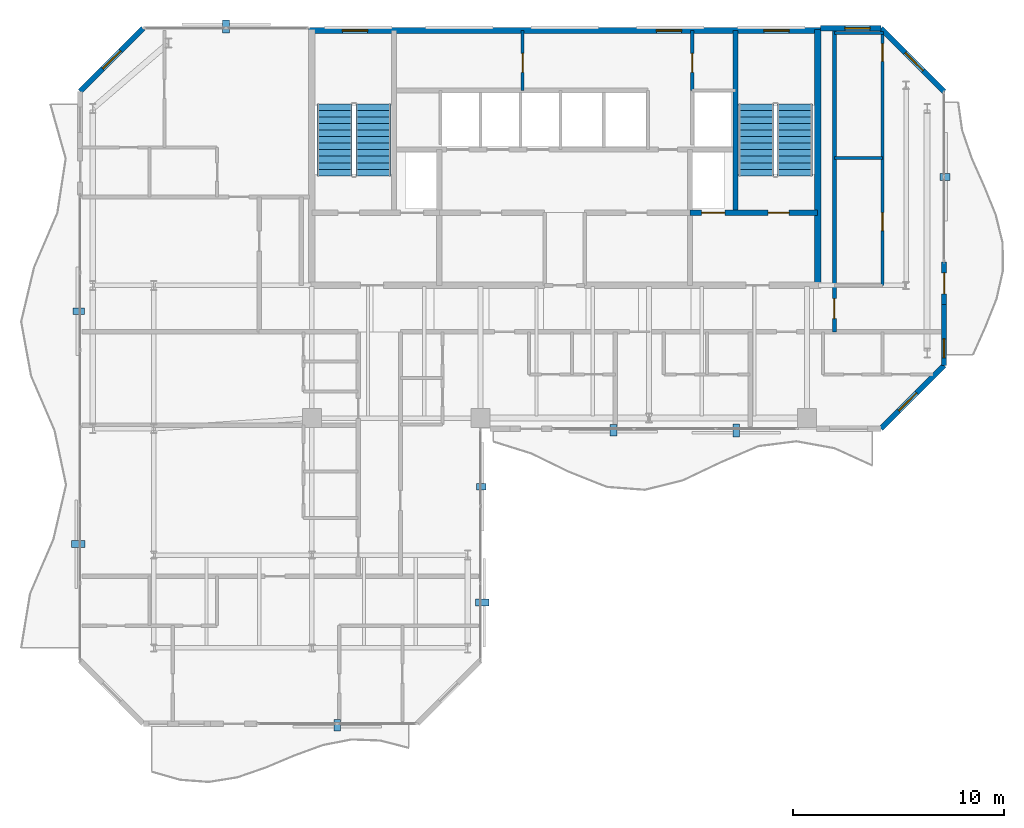
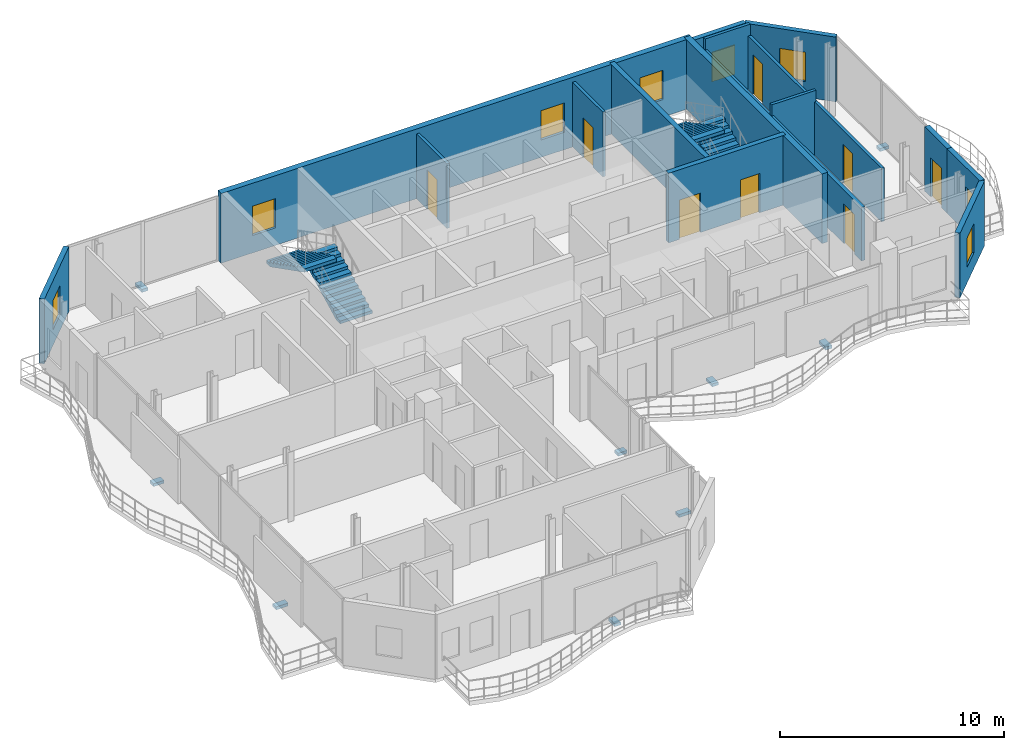
# One storey, part 20 of 22: 16 walls, 9 discrete accessories, 8 doors, 8 windows, 4 stair flights, 16 openings, 2 elements without a shape of their own.
"""IFC4 building model written with IfcOpenShell, lengths in metres."""

from ifc_helpers import new_model, si_unit, direction, frame, frame_2d, origin, origin_2d, place, context, subcontext, project, spatial, polyline, rectangle, outline, extrude, material, layer, layer_set, type_object, element, fill, aggregate, save


model = new_model("IFC4")

# Units and contexts
model_context = context("Model", 3, precision=1e-05, world=origin(), true_north=direction((0.0, 1.0)))
body_context = subcontext(model_context, "Body", "Model", "MODEL_VIEW")
ifc_project = project(units=[si_unit("LENGTHUNIT", "METRE"), si_unit("AREAUNIT", "SQUARE_METRE"), si_unit("VOLUMEUNIT", "CUBIC_METRE"), si_unit("PLANEANGLEUNIT", "RADIAN"), si_unit("MASSUNIT", "GRAM", prefix="KILO")], contexts=[model_context])

# Site, building, storey
site_placement = place(None, origin())
site = spatial("IfcSite", under=ifc_project, at=site_placement, CompositionType="ELEMENT")
building_placement = place(site_placement, origin())
building = spatial("IfcBuilding", under=site, at=building_placement, Name="Catumbela Crestline Tower", CompositionType="ELEMENT")
storey_placement = place(building_placement, frame((0.0, 0.0, 229.8)))
storey = spatial("IfcBuildingStorey", under=building, at=storey_placement, Name="L59", CompositionType="ELEMENT", Elevation=229.8)

# Wall
ifc_material_1 = material(Name="Concrete C50/60", Category="concrete")
ifc_layer_1 = layer(ifc_material_1, 0.25, Name="Concrete C50/60")
ifc_layer_set_1 = layer_set([ifc_layer_1], Name="Concrete C50/60")
wall_type_1 = type_object("IfcWallType", Name="CW-250D", PredefinedType="SHEAR", material=ifc_layer_set_1)
wall_1_placement = place(storey_placement, frame((36.1, 34.25, 0.0), z_axis=(0.0, 0.0, 1.0), x_axis=(0.0, 1.0, 0.0)))
element("IfcWall", 1, at=wall_1_placement, inside=storey, type_object=wall_type_1, Name="L59 Structural Core Shear Wall EWEB", PredefinedType="SHEAR", context=body_context, shape_type="SweptSolid", body=[
    extrude(rectangle(XDim=8.65, YDim=0.25, at=frame_2d((4.325, 0.0))), origin(), (0.0, 0.0, 1.0), 3.8),
])

# Wall, openings, doors
wall_2_placement = place(storey_placement, frame((33.95, 34.25, 0.0), z_axis=(0.0, 0.0, 1.0), x_axis=(1.0, 0.0, 0.0)))
wall_2 = element("IfcWall", 2, at=wall_2_placement, inside=storey, type_object=wall_type_1, Name="L59 Structural Core Shear Wall ST2S", PredefinedType="SHEAR", context=body_context, shape_type="SweptSolid", body=[
    extrude(rectangle(XDim=6.05, YDim=0.25, at=frame_2d((3.025, 0.0))), origin(), (0.0, 0.0, 1.0), 3.8),
])
opening_1_placement = place(wall_2_placement, frame((3.7, 0.0, 0.0)))
opening_1 = element("IfcOpeningElement", 3, at=opening_1_placement, cuts=wall_2, Name="Opening DF9-100", PredefinedType="OPENING", context=body_context, shape_type="SweptSolid", body=[
    extrude(rectangle(XDim=1.0, YDim=2.15, at=frame_2d((0.5, 1.075))), frame((0.0, 0.135, 0.0), z_axis=(0.0, -1.0, 0.0), x_axis=(1.0, 0.0, 0.0)), (0.0, 0.0, 1.0), 0.27),
])
opening_2_placement = place(wall_2_placement, frame((0.55, 0.0, 0.0)))
opening_2 = element("IfcOpeningElement", 4, at=opening_2_placement, cuts=wall_2, Name="Opening LD-110", PredefinedType="OPENING", context=body_context, shape_type="SweptSolid", body=[
    extrude(rectangle(XDim=1.1, YDim=2.15, at=frame_2d((0.55, 1.075))), frame((0.0, 0.135, 0.0), z_axis=(0.0, -1.0, 0.0), x_axis=(1.0, 0.0, 0.0)), (0.0, 0.0, 1.0), 0.27),
])
ifc_material_2 = material(Name="Stainless steel EN 1.4401", Category="steel")
door_type_1 = type_object("IfcDoorType", Name="DF9-100", OperationType="NOTDEFINED", PredefinedType="DOOR", material=ifc_material_2)
door_1_placement = place(opening_1_placement, origin())
door_1 = element("IfcDoor", 5, at=door_1_placement, inside=storey, type_object=door_type_1, Name="L59 Interior Door DR-L59-ST02", OperationType="SINGLE_SWING_RIGHT", OverallHeight=2.15, OverallWidth=1.0, PredefinedType="DOOR", context=body_context, shape_type="SweptSolid", body=[
    extrude(rectangle(XDim=1.0, YDim=2.15, at=frame_2d((0.5, 1.075))), frame((0.0, 0.025, 0.0), z_axis=(0.0, -1.0, 0.0), x_axis=(1.0, 0.0, 0.0)), (0.0, 0.0, 1.0), 0.05),
])
fill(opening_1, door_1)
door_type_2 = type_object("IfcDoorType", Name="LD-110", OperationType="NOTDEFINED", PredefinedType="DOOR", material=ifc_material_2)
door_2_placement = place(opening_2_placement, origin())
door_2 = element("IfcDoor", 6, at=door_2_placement, inside=storey, type_object=door_type_2, Name="L59 Lift Landing Sliding Door FL-02", OperationType="DOUBLE_DOOR_SLIDING", OverallHeight=2.15, OverallWidth=1.1, PredefinedType="DOOR", context=body_context, shape_type="SweptSolid", body=[
    extrude(rectangle(XDim=1.1, YDim=2.15, at=frame_2d((0.55, 1.075))), frame((0.0, 0.025, 0.0), z_axis=(0.0, -1.0, 0.0), x_axis=(1.0, 0.0, 0.0)), (0.0, 0.0, 1.0), 0.05),
])
fill(opening_2, door_2)

# Wall
ifc_material_3 = material(Name="Concrete C45/55", Category="concrete")
ifc_layer_2 = layer(ifc_material_3, 0.3, Name="Concrete C45/55")
ifc_layer_set_2 = layer_set([ifc_layer_2], Name="Concrete C45/55")
wall_type_2 = type_object("IfcWallType", Name="CW-300C", PredefinedType="SHEAR", material=ifc_layer_set_2)
wall_3_placement = place(storey_placement, frame((40.0, 30.65, 0.0), z_axis=(0.0, 0.0, 1.0), x_axis=(0.0, 1.0, 0.0)))
element("IfcWall", 7, at=wall_3_placement, inside=storey, type_object=wall_type_2, Name="L59 Structural Core Shear Wall E", PredefinedType="SHEAR", context=body_context, shape_type="SweptSolid", body=[
    extrude(rectangle(XDim=12.3, YDim=0.3, at=frame_2d((6.15, 0.0))), origin(), (0.0, 0.0, 1.0), 3.8),
])

# Wall, openings, windows
ifc_layer_3 = layer(ifc_material_3, 0.3, Name="Concrete C45/55")
ifc_layer_set_3 = layer_set([ifc_layer_3], Name="Concrete C45/55")
wall_type_3 = type_object("IfcWallType", Name="CW-300E", PredefinedType="SHEAR", material=ifc_layer_set_3)
wall_4_placement = place(storey_placement, frame((15.85, 42.9, 0.0), z_axis=(0.0, 0.0, 1.0), x_axis=(1.0, 0.0, 0.0)))
wall_4 = element("IfcWall", 8, at=wall_4_placement, inside=storey, type_object=wall_type_3, Name="L59 Structural Core Shear Wall N", PredefinedType="SHEAR", context=body_context, shape_type="SweptSolid", body=[
    extrude(rectangle(XDim=24.3, YDim=0.3, at=frame_2d((12.15, 0.0))), origin(), (0.0, 0.0, 1.0), 3.8),
])
opening_3_placement = place(wall_4_placement, frame((1.6, 0.0, 0.95)))
opening_3 = element("IfcOpeningElement", 9, at=opening_3_placement, cuts=wall_4, Name="Opening WN-02", PredefinedType="OPENING", context=body_context, shape_type="SweptSolid", body=[
    extrude(rectangle(XDim=1.2, YDim=1.6, at=frame_2d((0.6, 0.8))), frame((0.0, 0.16, 0.0), z_axis=(0.0, -1.0, 0.0), x_axis=(1.0, 0.0, 0.0)), (0.0, 0.0, 1.0), 0.32),
])
opening_4_placement = place(wall_4_placement, frame((16.5, 0.0, 0.95)))
opening_4 = element("IfcOpeningElement", 10, at=opening_4_placement, cuts=wall_4, Name="Opening WN-02", PredefinedType="OPENING", context=body_context, shape_type="SweptSolid", body=[
    extrude(rectangle(XDim=1.2, YDim=1.6, at=frame_2d((0.6, 0.8))), frame((0.0, 0.16, 0.0), z_axis=(0.0, -1.0, 0.0), x_axis=(1.0, 0.0, 0.0)), (0.0, 0.0, 1.0), 0.32),
])
opening_5_placement = place(wall_4_placement, frame((21.6, 0.0, 0.95)))
opening_5 = element("IfcOpeningElement", 11, at=opening_5_placement, cuts=wall_4, Name="Opening WN-02", PredefinedType="OPENING", context=body_context, shape_type="SweptSolid", body=[
    extrude(rectangle(XDim=1.2, YDim=1.6, at=frame_2d((0.6, 0.8))), frame((0.0, 0.16, 0.0), z_axis=(0.0, -1.0, 0.0), x_axis=(1.0, 0.0, 0.0)), (0.0, 0.0, 1.0), 0.32),
])
ifc_material_4 = material(Name="Low-E laminated solar-control double glazing", Category="glass")
window_type_1 = type_object("IfcWindowType", Name="WO-1200", PartitioningType="SINGLE_PANEL", PredefinedType="WINDOW", material=ifc_material_4)
window_1_placement = place(opening_3_placement, origin())
window_1 = element("IfcWindow", 12, at=window_1_placement, inside=storey, type_object=window_type_1, Name="L59 North Core Daylight Vision Window 415", OverallHeight=1.6, OverallWidth=1.2, PartitioningType="SINGLE_PANEL", PredefinedType="WINDOW", context=body_context, shape_type="SweptSolid", body=[
    extrude(rectangle(XDim=1.2, YDim=1.6, at=frame_2d((0.6, 0.8))), frame((0.0, 0.03, 0.0), z_axis=(0.0, -1.0, 0.0), x_axis=(1.0, 0.0, 0.0)), (0.0, 0.0, 1.0), 0.06),
])
fill(opening_3, window_1)
window_2_placement = place(opening_4_placement, origin())
window_2 = element("IfcWindow", 13, at=window_2_placement, inside=storey, type_object=window_type_1, Name="L59 North Core Daylight Vision Window 416", OverallHeight=1.6, OverallWidth=1.2, PartitioningType="SINGLE_PANEL", PredefinedType="WINDOW", context=body_context, shape_type="SweptSolid", body=[
    extrude(rectangle(XDim=1.2, YDim=1.6, at=frame_2d((0.6, 0.8))), frame((0.0, 0.03, 0.0), z_axis=(0.0, -1.0, 0.0), x_axis=(1.0, 0.0, 0.0)), (0.0, 0.0, 1.0), 0.06),
])
fill(opening_4, window_2)
window_3_placement = place(opening_5_placement, origin())
window_3 = element("IfcWindow", 14, at=window_3_placement, inside=storey, type_object=window_type_1, Name="L59 North Core Daylight Vision Window 417", OverallHeight=1.6, OverallWidth=1.2, PartitioningType="SINGLE_PANEL", PredefinedType="WINDOW", context=body_context, shape_type="SweptSolid", body=[
    extrude(rectangle(XDim=1.2, YDim=1.6, at=frame_2d((0.6, 0.8))), frame((0.0, 0.03, 0.0), z_axis=(0.0, -1.0, 0.0), x_axis=(1.0, 0.0, 0.0)), (0.0, 0.0, 1.0), 0.06),
])
fill(opening_5, window_3)

# Wall, opening, door
ifc_material_5 = material(Name="Acoustic gypsum and mineral-wool partition")
ifc_layer_4 = layer(ifc_material_5, 0.2, Name="Acoustic gypsum and mineral-wool partition")
ifc_layer_set_4 = layer_set([ifc_layer_4], Name="Acoustic gypsum and mineral-wool partition")
wall_type_4 = type_object("IfcWallType", Name="WC-200", PredefinedType="PARTITIONING", material=ifc_layer_set_4)
wall_5_placement = place(storey_placement, frame((40.8, 28.6, 0.0), z_axis=(0.0, 0.0, 1.0), x_axis=(0.0, 1.0, 0.0)))
wall_5 = element("IfcWall", 15, at=wall_5_placement, inside=storey, type_object=wall_type_4, Name="L59 Interior Partition PW-L59-NE1-ENT", PredefinedType="PARTITIONING", context=body_context, shape_type="SweptSolid", body=[
    extrude(rectangle(XDim=14.3, YDim=0.2, at=frame_2d((7.15, 0.0))), origin(), (0.0, 0.0, 1.0), 2.92),
])
opening_6_placement = place(wall_5_placement, frame((0.625, 0.0, 0.0)))
opening_6 = element("IfcOpeningElement", 16, at=opening_6_placement, cuts=wall_5, Name="Opening DF6-095", PredefinedType="OPENING", context=body_context, shape_type="SweptSolid", body=[
    extrude(rectangle(XDim=0.95, YDim=2.15, at=frame_2d((0.475, 1.075))), frame((0.0, 0.11, 0.0), z_axis=(0.0, -1.0, 0.0), x_axis=(1.0, 0.0, 0.0)), (0.0, 0.0, 1.0), 0.22),
])
ifc_material_6 = material(Name="Aluminium alloy AW-6060-T66", Category="aluminium")
door_type_3 = type_object("IfcDoorType", Name="DF6-095", OperationType="NOTDEFINED", PredefinedType="DOOR", material=ifc_material_6)
door_3_placement = place(opening_6_placement, origin())
door_3 = element("IfcDoor", 17, at=door_3_placement, inside=storey, type_object=door_type_3, Name="L59 Interior Door DR-L59-NE1-ENT", OperationType="SINGLE_SWING_LEFT", OverallHeight=2.15, OverallWidth=0.95, PredefinedType="DOOR", context=body_context, shape_type="SweptSolid", body=[
    extrude(rectangle(XDim=0.95, YDim=2.15, at=frame_2d((0.475, 1.075))), frame((0.0, 0.025, 0.0), z_axis=(0.0, -1.0, 0.0), x_axis=(1.0, 0.0, 0.0)), (0.0, 0.0, 1.0), 0.05),
])
fill(opening_6, door_3)

# Wall, opening, window
ifc_material_7 = material(Name="Angolan grey-ochre granite", Category="masonry")
ifc_layer_5 = layer(ifc_material_7, 0.25, Name="Angolan grey-ochre granite")
ifc_layer_set_5 = layer_set([ifc_layer_5], Name="Angolan grey-ochre granite")
wall_type_5 = type_object("IfcWallType", Name="WE-250", PredefinedType="STANDARD", material=ifc_layer_set_5)
wall_6_placement = place(storey_placement, frame((43.0, 24.0, 0.0), z_axis=(0.0, 0.0, 1.0), x_axis=(0.707106781187, 0.707106781187, 0.0)))
wall_6 = element("IfcWall", 18, at=wall_6_placement, inside=storey, type_object=wall_type_5, Name="L59 Granite Punched Window Wall 4-1", PredefinedType="STANDARD", context=body_context, shape_type="SweptSolid", body=[
    extrude(rectangle(XDim=4.2426, YDim=0.25, at=frame_2d((2.1213, 0.0))), origin(), (0.0, 0.0, 1.0), 3.53),
])
opening_7_placement = place(wall_6_placement, frame((1.1962, 0.0, 0.85)))
opening_7 = element("IfcOpeningElement", 19, at=opening_7_placement, cuts=wall_6, Name="Opening WN-02", PredefinedType="OPENING", context=body_context, shape_type="SweptSolid", body=[
    extrude(rectangle(XDim=1.2, YDim=1.6, at=frame_2d((0.6, 0.8))), frame((0.0, 0.135, 0.0), z_axis=(0.0, -1.0, 0.0), x_axis=(1.0, 0.0, 0.0)), (0.0, 0.0, 1.0), 0.27),
])
window_4_placement = place(opening_7_placement, origin())
window_4 = element("IfcWindow", 20, at=window_4_placement, inside=storey, type_object=window_type_1, Name="L59 Facade Vision Window 422", OverallHeight=1.6, OverallWidth=1.2, PartitioningType="SINGLE_PANEL", PredefinedType="WINDOW", context=body_context, shape_type="SweptSolid", body=[
    extrude(rectangle(XDim=1.2, YDim=1.6, at=frame_2d((0.6, 0.8))), frame((0.0, 0.03, 0.0), z_axis=(0.0, -1.0, 0.0), x_axis=(1.0, 0.0, 0.0)), (0.0, 0.0, 1.0), 0.06),
])
fill(opening_7, window_4)

# Wall, opening, door
wall_7_placement = place(storey_placement, frame((46.0, 29.9, 0.0), z_axis=(0.0, 0.0, 1.0), x_axis=(0.0, 1.0, 0.0)))
wall_7 = element("IfcWall", 21, at=wall_7_placement, inside=storey, type_object=wall_type_5, Name="L59 Exterior Threshold Portal Wall DR-L59-WBAL-2", PredefinedType="STANDARD", context=body_context, shape_type="SweptSolid", body=[
    extrude(rectangle(XDim=2.0, YDim=0.25, at=frame_2d((1.0, 0.0))), origin(), (0.0, 0.0, 1.0), 3.53),
])
opening_8_placement = place(wall_7_placement, frame((0.5, 0.0, 0.0)))
opening_8 = element("IfcOpeningElement", 22, at=opening_8_placement, cuts=wall_7, Name="Opening DB-L59-2", PredefinedType="OPENING", context=body_context, shape_type="SweptSolid", body=[
    extrude(rectangle(XDim=1.0, YDim=2.15, at=frame_2d((0.5, 1.075))), frame((0.0, 0.135, 0.0), z_axis=(0.0, -1.0, 0.0), x_axis=(1.0, 0.0, 0.0)), (0.0, 0.0, 1.0), 0.27),
])
door_type_4 = type_object("IfcDoorType", Name="DB-1000", OperationType="NOTDEFINED", PredefinedType="DOOR", material=ifc_material_6)
door_4_placement = place(opening_8_placement, origin())
door_4 = element("IfcDoor", 23, at=door_4_placement, inside=storey, type_object=door_type_4, Name="L59 Wave Balcony Terrace Door 2", OperationType="SINGLE_SWING_RIGHT", OverallHeight=2.15, OverallWidth=1.0, PredefinedType="DOOR", context=body_context, shape_type="SweptSolid", body=[
    extrude(rectangle(XDim=1.0, YDim=2.15, at=frame_2d((0.5, 1.075))), frame((0.0, 0.025, 0.0), z_axis=(0.0, -1.0, 0.0), x_axis=(1.0, 0.0, 0.0)), (0.0, 0.0, 1.0), 0.05),
])
fill(opening_8, door_4)

# Wall, opening, window
wall_8_placement = place(storey_placement, frame((46.0, 27.0, 0.0), z_axis=(0.0, 0.0, 1.0), x_axis=(0.0, 1.0, 0.0)))
wall_8 = element("IfcWall", 24, at=wall_8_placement, inside=storey, type_object=wall_type_5, Name="L59 Granite Punched Window Wall 5-1", PredefinedType="STANDARD", context=body_context, shape_type="SweptSolid", body=[
    extrude(rectangle(XDim=2.9, YDim=0.25, at=frame_2d((1.45, 0.0))), origin(), (0.0, 0.0, 1.0), 3.53),
])
opening_9_placement = place(wall_8_placement, frame((0.36, 0.0, 0.9)))
opening_9 = element("IfcOpeningElement", 25, at=opening_9_placement, cuts=wall_8, Name="Opening WN-03", PredefinedType="OPENING", context=body_context, shape_type="SweptSolid", body=[
    extrude(rectangle(XDim=0.9, YDim=1.55, at=frame_2d((0.45, 0.775))), frame((0.0, 0.135, 0.0), z_axis=(0.0, -1.0, 0.0), x_axis=(1.0, 0.0, 0.0)), (0.0, 0.0, 1.0), 0.27),
])
window_type_2 = type_object("IfcWindowType", Name="WO-0900", PartitioningType="SINGLE_PANEL", PredefinedType="WINDOW", material=ifc_material_4)
window_5_placement = place(opening_9_placement, origin())
window_5 = element("IfcWindow", 26, at=window_5_placement, inside=storey, type_object=window_type_2, Name="L59 Facade Vision Window 423", OverallHeight=1.55, OverallWidth=0.9, PartitioningType="SINGLE_PANEL", PredefinedType="WINDOW", context=body_context, shape_type="SweptSolid", body=[
    extrude(rectangle(XDim=0.9, YDim=1.55, at=frame_2d((0.45, 0.775))), frame((0.0, 0.03, 0.0), z_axis=(0.0, -1.0, 0.0), x_axis=(1.0, 0.0, 0.0)), (0.0, 0.0, 1.0), 0.06),
])
fill(opening_9, window_5)

wall_9_placement = place(storey_placement, frame((46.0, 40.0, 0.0), z_axis=(0.0, 0.0, 1.0), x_axis=(-0.707106781187, 0.707106781187, 0.0)))
wall_9 = element("IfcWall", 27, at=wall_9_placement, inside=storey, type_object=wall_type_5, Name="L59 Granite Punched Window Wall 6-1", PredefinedType="STANDARD", context=body_context, shape_type="SweptSolid", body=[
    extrude(rectangle(XDim=4.2426, YDim=0.25, at=frame_2d((2.1213, 0.0))), origin(), (0.0, 0.0, 1.0), 3.53),
])
opening_10_placement = place(wall_9_placement, frame((1.4111, 0.0, 0.85)))
opening_10 = element("IfcOpeningElement", 28, at=opening_10_placement, cuts=wall_9, Name="Opening WN-02", PredefinedType="OPENING", context=body_context, shape_type="SweptSolid", body=[
    extrude(rectangle(XDim=1.2, YDim=1.6, at=frame_2d((0.6, 0.8))), frame((0.0, 0.135, 0.0), z_axis=(0.0, -1.0, 0.0), x_axis=(1.0, 0.0, 0.0)), (0.0, 0.0, 1.0), 0.27),
])
window_6_placement = place(opening_10_placement, origin())
window_6 = element("IfcWindow", 29, at=window_6_placement, inside=storey, type_object=window_type_1, Name="L59 Facade Vision Window 424", OverallHeight=1.6, OverallWidth=1.2, PartitioningType="SINGLE_PANEL", PredefinedType="WINDOW", context=body_context, shape_type="SweptSolid", body=[
    extrude(rectangle(XDim=1.2, YDim=1.6, at=frame_2d((0.6, 0.8))), frame((0.0, 0.03, 0.0), z_axis=(0.0, -1.0, 0.0), x_axis=(1.0, 0.0, 0.0)), (0.0, 0.0, 1.0), 0.06),
])
fill(opening_10, window_6)

wall_10_placement = place(storey_placement, frame((43.0, 43.0, 0.0), z_axis=(0.0, 0.0, 1.0), x_axis=(-1.0, 0.0, 0.0)))
wall_10 = element("IfcWall", 30, at=wall_10_placement, inside=storey, type_object=wall_type_5, Name="L59 Granite Punched Window Wall 7-1", PredefinedType="STANDARD", context=body_context, shape_type="SweptSolid", body=[
    extrude(rectangle(XDim=2.86, YDim=0.25, at=frame_2d((1.43, 0.0))), origin(), (0.0, 0.0, 1.0), 3.53),
])
opening_11_placement = place(wall_10_placement, frame((0.51, 0.0, 0.85)))
opening_11 = element("IfcOpeningElement", 31, at=opening_11_placement, cuts=wall_10, Name="Opening WN-02", PredefinedType="OPENING", context=body_context, shape_type="SweptSolid", body=[
    extrude(rectangle(XDim=1.2, YDim=1.6, at=frame_2d((0.6, 0.8))), frame((0.0, 0.135, 0.0), z_axis=(0.0, -1.0, 0.0), x_axis=(1.0, 0.0, 0.0)), (0.0, 0.0, 1.0), 0.27),
])
window_7_placement = place(opening_11_placement, origin())
window_7 = element("IfcWindow", 32, at=window_7_placement, inside=storey, type_object=window_type_1, Name="L59 Facade Vision Window 425", OverallHeight=1.6, OverallWidth=1.2, PartitioningType="SINGLE_PANEL", PredefinedType="WINDOW", context=body_context, shape_type="SweptSolid", body=[
    extrude(rectangle(XDim=1.2, YDim=1.6, at=frame_2d((0.6, 0.8))), frame((0.0, 0.03, 0.0), z_axis=(0.0, -1.0, 0.0), x_axis=(1.0, 0.0, 0.0)), (0.0, 0.0, 1.0), 0.06),
])
fill(opening_11, window_7)

wall_11_placement = place(storey_placement, frame((8.0, 43.0, 0.0), z_axis=(0.0, 0.0, 1.0), x_axis=(-0.707106781187, -0.707106781187, 0.0)))
wall_11 = element("IfcWall", 33, at=wall_11_placement, inside=storey, type_object=wall_type_5, Name="L59 Granite Punched Window Wall 8-1", PredefinedType="STANDARD", context=body_context, shape_type="SweptSolid", body=[
    extrude(rectangle(XDim=4.2426, YDim=0.25, at=frame_2d((2.1213, 0.0))), origin(), (0.0, 0.0, 1.0), 3.53),
])
opening_12_placement = place(wall_11_placement, frame((1.5213, 0.0, 0.85)))
opening_12 = element("IfcOpeningElement", 34, at=opening_12_placement, cuts=wall_11, Name="Opening WN-02", PredefinedType="OPENING", context=body_context, shape_type="SweptSolid", body=[
    extrude(rectangle(XDim=1.2, YDim=1.6, at=frame_2d((0.6, 0.8))), frame((0.0, 0.135, 0.0), z_axis=(0.0, -1.0, 0.0), x_axis=(1.0, 0.0, 0.0)), (0.0, 0.0, 1.0), 0.27),
])
window_8_placement = place(opening_12_placement, origin())
window_8 = element("IfcWindow", 35, at=window_8_placement, inside=storey, type_object=window_type_1, Name="L59 Facade Vision Window 426", OverallHeight=1.6, OverallWidth=1.2, PartitioningType="SINGLE_PANEL", PredefinedType="WINDOW", context=body_context, shape_type="SweptSolid", body=[
    extrude(rectangle(XDim=1.2, YDim=1.6, at=frame_2d((0.6, 0.8))), frame((0.0, 0.03, 0.0), z_axis=(0.0, -1.0, 0.0), x_axis=(1.0, 0.0, 0.0)), (0.0, 0.0, 1.0), 0.06),
])
fill(opening_12, window_8)

# Wall, opening, door
ifc_layer_6 = layer(ifc_material_5, 0.15, Name="Acoustic gypsum and mineral-wool partition")
ifc_layer_set_6 = layer_set([ifc_layer_6], Name="Acoustic gypsum and mineral-wool partition")
wall_type_6 = type_object("IfcWallType", Name="WP-150", PredefinedType="PARTITIONING", material=ifc_layer_set_6)
wall_12_placement = place(storey_placement, frame((34.05, 40.05, 0.0), z_axis=(0.0, 0.0, 1.0), x_axis=(0.0, 1.0, 0.0)))
wall_12 = element("IfcWall", 36, at=wall_12_placement, inside=storey, type_object=wall_type_6, Name="L59 Interior Partition PW-L59-CR-EW", PredefinedType="PARTITIONING", context=body_context, shape_type="SweptSolid", body=[
    extrude(rectangle(XDim=2.85, YDim=0.15, at=frame_2d((1.425, 0.0))), origin(), (0.0, 0.0, 1.0), 3.53),
])
opening_13_placement = place(wall_12_placement, frame((0.865, 0.0, 0.0)))
opening_13 = element("IfcOpeningElement", 37, at=opening_13_placement, cuts=wall_12, Name="Opening DF9-090", PredefinedType="OPENING", context=body_context, shape_type="SweptSolid", body=[
    extrude(rectangle(XDim=0.9, YDim=2.15, at=frame_2d((0.45, 1.075))), frame((0.0, 0.085, 0.0), z_axis=(0.0, -1.0, 0.0), x_axis=(1.0, 0.0, 0.0)), (0.0, 0.0, 1.0), 0.17),
])
door_type_5 = type_object("IfcDoorType", Name="DF9-090", OperationType="NOTDEFINED", PredefinedType="DOOR", material=ifc_material_2)
door_5_placement = place(opening_13_placement, origin())
door_5 = element("IfcDoor", 38, at=door_5_placement, inside=storey, type_object=door_type_5, Name="L59 Interior Door DR-L59-CREAST", OperationType="SINGLE_SWING_RIGHT", OverallHeight=2.15, OverallWidth=0.9, PredefinedType="DOOR", context=body_context, shape_type="SweptSolid", body=[
    extrude(rectangle(XDim=0.9, YDim=2.15, at=frame_2d((0.45, 1.075))), frame((0.0, 0.025, 0.0), z_axis=(0.0, -1.0, 0.0), x_axis=(1.0, 0.0, 0.0)), (0.0, 0.0, 1.0), 0.05),
])
fill(opening_13, door_5)

wall_13_placement = place(storey_placement, frame((26.0, 40.05, 0.0), z_axis=(0.0, 0.0, 1.0), x_axis=(0.0, 1.0, 0.0)))
wall_13 = element("IfcWall", 39, at=wall_13_placement, inside=storey, type_object=wall_type_6, Name="L59 Interior Partition PW-L59-CR-WW", PredefinedType="PARTITIONING", context=body_context, shape_type="SweptSolid", body=[
    extrude(rectangle(XDim=2.85, YDim=0.15, at=frame_2d((1.425, 0.0))), origin(), (0.0, 0.0, 1.0), 3.53),
])
opening_14_placement = place(wall_13_placement, frame((0.865, 0.0, 0.0)))
opening_14 = element("IfcOpeningElement", 40, at=opening_14_placement, cuts=wall_13, Name="Opening DF9-090", PredefinedType="OPENING", context=body_context, shape_type="SweptSolid", body=[
    extrude(rectangle(XDim=0.9, YDim=2.15, at=frame_2d((0.45, 1.075))), frame((0.0, 0.085, 0.0), z_axis=(0.0, -1.0, 0.0), x_axis=(1.0, 0.0, 0.0)), (0.0, 0.0, 1.0), 0.17),
])
door_6_placement = place(opening_14_placement, origin())
door_6 = element("IfcDoor", 41, at=door_6_placement, inside=storey, type_object=door_type_5, Name="L59 Interior Door DR-L59-CRWEST", OperationType="SINGLE_SWING_LEFT", OverallHeight=2.15, OverallWidth=0.9, PredefinedType="DOOR", context=body_context, shape_type="SweptSolid", body=[
    extrude(rectangle(XDim=0.9, YDim=2.15, at=frame_2d((0.45, 1.075))), frame((0.0, 0.025, 0.0), z_axis=(0.0, -1.0, 0.0), x_axis=(1.0, 0.0, 0.0)), (0.0, 0.0, 1.0), 0.05),
])
fill(opening_14, door_6)

# Wall
wall_14_placement = place(storey_placement, frame((40.8, 36.85, 0.0), z_axis=(0.0, 0.0, 1.0), x_axis=(1.0, 0.0, 0.0)))
element("IfcWall", 42, at=wall_14_placement, inside=storey, type_object=wall_type_6, Name="L59 Interior Partition PW-L59-NE1-KBM", PredefinedType="PARTITIONING", context=body_context, shape_type="SweptSolid", body=[
    extrude(rectangle(XDim=2.28, YDim=0.15, at=frame_2d((1.14, 0.0))), origin(), (0.0, 0.0, 1.0), 3.53),
])

# Wall, openings, doors
wall_15_placement = place(storey_placement, frame((43.08, 30.8, 0.0), z_axis=(0.0, 0.0, 1.0), x_axis=(0.0, 1.0, 0.0)))
wall_15 = element("IfcWall", 43, at=wall_15_placement, inside=storey, type_object=wall_type_6, Name="L59 Interior Partition PW-L59-NE1-SK1", PredefinedType="PARTITIONING", context=body_context, shape_type="SweptSolid", body=[
    extrude(rectangle(XDim=12.02, YDim=0.15, at=frame_2d((6.01, 0.0))), origin(), (0.0, 0.0, 1.0), 2.92),
])
opening_15_placement = place(wall_15_placement, frame((2.6, 0.0, 0.0)))
opening_15 = element("IfcOpeningElement", 44, at=opening_15_placement, cuts=wall_15, Name="Opening DI-085", PredefinedType="OPENING", context=body_context, shape_type="SweptSolid", body=[
    extrude(rectangle(XDim=0.85, YDim=2.15, at=frame_2d((0.425, 1.075))), frame((0.0, 0.085, 0.0), z_axis=(0.0, -1.0, 0.0), x_axis=(1.0, 0.0, 0.0)), (0.0, 0.0, 1.0), 0.17),
])
opening_16_placement = place(wall_15_placement, frame((10.6287, 0.0, 0.0)))
opening_16 = element("IfcOpeningElement", 45, at=opening_16_placement, cuts=wall_15, Name="Opening DI-085", PredefinedType="OPENING", context=body_context, shape_type="SweptSolid", body=[
    extrude(rectangle(XDim=0.85, YDim=2.15, at=frame_2d((0.425, 1.075))), frame((0.0, 0.085, 0.0), z_axis=(0.0, -1.0, 0.0), x_axis=(1.0, 0.0, 0.0)), (0.0, 0.0, 1.0), 0.17),
])
door_type_6 = type_object("IfcDoorType", Name="DI-085", OperationType="NOTDEFINED", PredefinedType="DOOR", material=ifc_material_6)
door_7_placement = place(opening_15_placement, origin())
door_7 = element("IfcDoor", 46, at=door_7_placement, inside=storey, type_object=door_type_6, Name="L59 Interior Door DR-L59-NE1-KIT", OperationType="SINGLE_SWING_LEFT", OverallHeight=2.15, OverallWidth=0.85, PredefinedType="DOOR", context=body_context, shape_type="SweptSolid", body=[
    extrude(rectangle(XDim=0.85, YDim=2.15, at=frame_2d((0.425, 1.075))), frame((0.0, 0.025, 0.0), z_axis=(0.0, -1.0, 0.0), x_axis=(1.0, 0.0, 0.0)), (0.0, 0.0, 1.0), 0.05),
])
fill(opening_15, door_7)
door_8_placement = place(opening_16_placement, origin())
door_8 = element("IfcDoor", 47, at=door_8_placement, inside=storey, type_object=door_type_6, Name="L59 Interior Door DR-L59-NE1-BTH", OperationType="SINGLE_SWING_RIGHT", OverallHeight=2.15, OverallWidth=0.85, PredefinedType="DOOR", context=body_context, shape_type="SweptSolid", body=[
    extrude(rectangle(XDim=0.85, YDim=2.15, at=frame_2d((0.425, 1.075))), frame((0.0, 0.025, 0.0), z_axis=(0.0, -1.0, 0.0), x_axis=(1.0, 0.0, 0.0)), (0.0, 0.0, 1.0), 0.05),
])
fill(opening_16, door_8)

# Wall
wall_16_placement = place(storey_placement, frame((40.8, 42.78, 0.0), z_axis=(0.0, 0.0, 1.0), x_axis=(1.0, 0.0, 0.0)))
element("IfcWall", 48, at=wall_16_placement, inside=storey, type_object=wall_type_6, Name="L59 Interior Partition PW-L59-NE1-BTH-BCL-2", PredefinedType="PARTITIONING", context=body_context, shape_type="SweptSolid", body=[
    extrude(rectangle(XDim=2.32, YDim=0.15, at=frame_2d((1.16, 0.0))), origin(), (0.0, 0.0, 1.0), 3.53),
])

# Stair, stair flights
stair_type = type_object("IfcStairType", Name="ST-DLG", PredefinedType="HALF_TURN_STAIR", material=ifc_material_3)
stair_1_placement = place(storey_placement, origin())
stair_1 = element("IfcStair", 49, at=stair_1_placement, inside=storey, type_object=stair_type, Name="L59 West Core Pressurised Exit Stair ST-01", PredefinedType="HALF_TURN_STAIR")
stair_flight_type = type_object("IfcStairFlightType", Name="SF-1583", PredefinedType="STRAIGHT", material=ifc_material_3)
stair_flight_1_placement = place(storey_placement, frame((18.92, 36.0, 0.0), z_axis=(0.0, 0.0, 1.0), x_axis=(0.0, 1.0, 0.0)))
stair_flight_1 = element("IfcStairFlight", 50, at=stair_flight_1_placement, type_object=stair_flight_type, Name="ST-01 flight 1", NumberOfRisers=12, NumberOfTreads=11, PredefinedType="STRAIGHT", RiserHeight=0.158333333, TreadLength=0.31, context=body_context, shape_type="SweptSolid", body=[
    extrude(outline(polyline([(0.0, 0.0), (0.0, 0.1583), (0.31, 0.1583), (0.31, 0.3167), (0.62, 0.3167), (0.62, 0.475), (0.93, 0.475), (0.93, 0.6333), (1.24, 0.6333), (1.24, 0.7917), (1.55, 0.7917), (1.55, 0.95), (1.86, 0.95), (1.86, 1.1083), (2.17, 1.1083), (2.17, 1.2667), (2.48, 1.2667), (2.48, 1.425), (2.79, 1.425), (2.79, 1.5833), (3.1, 1.5833), (3.1, 1.7417), (3.41, 1.7417), (3.41, 1.9), (3.41, 1.562), (0.3518, 0.0), (0.0, 0.0)])), frame((0.0, 0.83, 0.0), z_axis=(0.0, -1.0, 0.0), x_axis=(1.0, 0.0, 0.0)), (0.0, 0.0, 1.0), 1.66),
])
stair_flight_2_placement = place(storey_placement, frame((17.08, 39.41, 1.9), z_axis=(0.0, 0.0, 1.0), x_axis=(0.0, -1.0, 0.0)))
stair_flight_2 = element("IfcStairFlight", 51, at=stair_flight_2_placement, type_object=stair_flight_type, Name="ST-01 flight 2", NumberOfRisers=12, NumberOfTreads=11, PredefinedType="STRAIGHT", RiserHeight=0.158333333, TreadLength=0.31, context=body_context, shape_type="SweptSolid", body=[
    extrude(outline(polyline([(0.0, 0.0), (0.0, 0.1583), (0.31, 0.1583), (0.31, 0.3167), (0.62, 0.3167), (0.62, 0.475), (0.93, 0.475), (0.93, 0.6333), (1.24, 0.6333), (1.24, 0.7917), (1.55, 0.7917), (1.55, 0.95), (1.86, 0.95), (1.86, 1.1083), (2.17, 1.1083), (2.17, 1.2667), (2.48, 1.2667), (2.48, 1.425), (2.79, 1.425), (2.79, 1.5833), (3.1, 1.5833), (3.1, 1.7417), (3.41, 1.7417), (3.41, 1.9), (3.41, 1.562), (0.3518, 0.0), (0.0, 0.0)])), frame((0.0, 0.83, 0.0), z_axis=(0.0, -1.0, 0.0), x_axis=(1.0, 0.0, 0.0)), (0.0, 0.0, 1.0), 1.66),
])
aggregate(stair_1, [stair_flight_1, stair_flight_2])

stair_2_placement = place(storey_placement, origin())
stair_2 = element("IfcStair", 52, at=stair_2_placement, inside=storey, type_object=stair_type, Name="L59 East Core Pressurised Exit Stair ST-02", PredefinedType="HALF_TURN_STAIR")
stair_flight_3_placement = place(storey_placement, frame((38.92, 36.0, 0.0), z_axis=(0.0, 0.0, 1.0), x_axis=(0.0, 1.0, 0.0)))
stair_flight_3 = element("IfcStairFlight", 53, at=stair_flight_3_placement, type_object=stair_flight_type, Name="ST-02 flight 1", NumberOfRisers=12, NumberOfTreads=11, PredefinedType="STRAIGHT", RiserHeight=0.158333333, TreadLength=0.31, context=body_context, shape_type="SweptSolid", body=[
    extrude(outline(polyline([(0.0, 0.0), (0.0, 0.1583), (0.31, 0.1583), (0.31, 0.3167), (0.62, 0.3167), (0.62, 0.475), (0.93, 0.475), (0.93, 0.6333), (1.24, 0.6333), (1.24, 0.7917), (1.55, 0.7917), (1.55, 0.95), (1.86, 0.95), (1.86, 1.1083), (2.17, 1.1083), (2.17, 1.2667), (2.48, 1.2667), (2.48, 1.425), (2.79, 1.425), (2.79, 1.5833), (3.1, 1.5833), (3.1, 1.7417), (3.41, 1.7417), (3.41, 1.9), (3.41, 1.562), (0.3518, 0.0), (0.0, 0.0)])), frame((0.0, 0.83, 0.0), z_axis=(0.0, -1.0, 0.0), x_axis=(1.0, 0.0, 0.0)), (0.0, 0.0, 1.0), 1.66),
])
stair_flight_4_placement = place(storey_placement, frame((37.08, 39.41, 1.9), z_axis=(0.0, 0.0, 1.0), x_axis=(0.0, -1.0, 0.0)))
stair_flight_4 = element("IfcStairFlight", 54, at=stair_flight_4_placement, type_object=stair_flight_type, Name="ST-02 flight 2", NumberOfRisers=12, NumberOfTreads=11, PredefinedType="STRAIGHT", RiserHeight=0.158333333, TreadLength=0.31, context=body_context, shape_type="SweptSolid", body=[
    extrude(outline(polyline([(0.0, 0.0), (0.0, 0.1583), (0.31, 0.1583), (0.31, 0.3167), (0.62, 0.3167), (0.62, 0.475), (0.93, 0.475), (0.93, 0.6333), (1.24, 0.6333), (1.24, 0.7917), (1.55, 0.7917), (1.55, 0.95), (1.86, 0.95), (1.86, 1.1083), (2.17, 1.1083), (2.17, 1.2667), (2.48, 1.2667), (2.48, 1.425), (2.79, 1.425), (2.79, 1.5833), (3.1, 1.5833), (3.1, 1.7417), (3.41, 1.7417), (3.41, 1.9), (3.41, 1.562), (0.3518, 0.0), (0.0, 0.0)])), frame((0.0, 0.83, 0.0), z_axis=(0.0, -1.0, 0.0), x_axis=(1.0, 0.0, 0.0)), (0.0, 0.0, 1.0), 1.66),
])
aggregate(stair_2, [stair_flight_3, stair_flight_4])

# Discrete accessories
discrete_accessory_type = type_object("IfcDiscreteAccessoryType", Name="BK-SS1", PredefinedType="BRACKET", material=ifc_material_2)
discrete_accessory_1_placement = place(storey_placement, frame((17.2, 9.935, -0.18), z_axis=(0.0, 0.0, 1.0), x_axis=(1.0, 0.0, 0.0)))
element("IfcDiscreteAccessory", 55, at=discrete_accessory_1_placement, inside=storey, type_object=discrete_accessory_type, Name="L59 Solar Screen Stainless Bracket 703", PredefinedType="BRACKET", context=body_context, shape_type="SweptSolid", body=[
    extrude(rectangle(XDim=0.32, YDim=0.54, at=origin_2d()), origin(), (0.0, 0.0, 1.0), 0.16),
])
discrete_accessory_2_placement = place(storey_placement, frame((24.085, 15.75, -0.18), z_axis=(0.0, 0.0, 1.0), x_axis=(0.0, 1.0, 0.0)))
element("IfcDiscreteAccessory", 56, at=discrete_accessory_2_placement, inside=storey, type_object=discrete_accessory_type, Name="L59 Solar Screen Stainless Bracket 704", PredefinedType="BRACKET", context=body_context, shape_type="SweptSolid", body=[
    extrude(rectangle(XDim=0.32, YDim=0.62, at=origin_2d()), origin(), (0.0, 0.0, 1.0), 0.16),
])
discrete_accessory_3_placement = place(storey_placement, frame((24.045, 21.25, -0.18), z_axis=(0.0, 0.0, 1.0), x_axis=(0.0, 1.0, 0.0)))
element("IfcDiscreteAccessory", 57, at=discrete_accessory_3_placement, inside=storey, type_object=discrete_accessory_type, Name="L59 Solar Screen Stainless Bracket 705", PredefinedType="BRACKET", context=body_context, shape_type="SweptSolid", body=[
    extrude(rectangle(XDim=0.32, YDim=0.46, at=origin_2d()), origin(), (0.0, 0.0, 1.0), 0.16),
])
discrete_accessory_4_placement = place(storey_placement, frame((30.3125, 23.935, -0.18), z_axis=(0.0, 0.0, 1.0), x_axis=(1.0, 0.0, 0.0)))
element("IfcDiscreteAccessory", 58, at=discrete_accessory_4_placement, inside=storey, type_object=discrete_accessory_type, Name="L59 Solar Screen Stainless Bracket 706", PredefinedType="BRACKET", context=body_context, shape_type="SweptSolid", body=[
    extrude(rectangle(XDim=0.32, YDim=0.54, at=origin_2d()), origin(), (0.0, 0.0, 1.0), 0.16),
])
discrete_accessory_5_placement = place(storey_placement, frame((36.1375, 23.915, -0.18), z_axis=(0.0, 0.0, 1.0), x_axis=(1.0, 0.0, 0.0)))
element("IfcDiscreteAccessory", 59, at=discrete_accessory_5_placement, inside=storey, type_object=discrete_accessory_type, Name="L59 Solar Screen Stainless Bracket 707", PredefinedType="BRACKET", context=body_context, shape_type="SweptSolid", body=[
    extrude(rectangle(XDim=0.32, YDim=0.62, at=origin_2d()), origin(), (0.0, 0.0, 1.0), 0.16),
])
discrete_accessory_6_placement = place(storey_placement, frame((46.045, 35.95, -0.18), z_axis=(0.0, 0.0, 1.0), x_axis=(0.0, 1.0, 0.0)))
element("IfcDiscreteAccessory", 60, at=discrete_accessory_6_placement, inside=storey, type_object=discrete_accessory_type, Name="L59 Solar Screen Stainless Bracket 708", PredefinedType="BRACKET", context=body_context, shape_type="SweptSolid", body=[
    extrude(rectangle(XDim=0.32, YDim=0.46, at=origin_2d()), origin(), (0.0, 0.0, 1.0), 0.16),
])
discrete_accessory_7_placement = place(storey_placement, frame((11.93, 43.085, -0.18), z_axis=(0.0, 0.0, 1.0), x_axis=(-1.0, 0.0, 0.0)))
element("IfcDiscreteAccessory", 61, at=discrete_accessory_7_placement, inside=storey, type_object=discrete_accessory_type, Name="L59 Solar Screen Stainless Bracket 709", PredefinedType="BRACKET", context=body_context, shape_type="SweptSolid", body=[
    extrude(rectangle(XDim=0.32, YDim=0.62, at=origin_2d()), origin(), (0.0, 0.0, 1.0), 0.16),
])
discrete_accessory_8_placement = place(storey_placement, frame((4.935, 29.575, -0.18), z_axis=(0.0, 0.0, 1.0), x_axis=(0.0, -1.0, 0.0)))
element("IfcDiscreteAccessory", 62, at=discrete_accessory_8_placement, inside=storey, type_object=discrete_accessory_type, Name="L59 Solar Screen Stainless Bracket 710", PredefinedType="BRACKET", context=body_context, shape_type="SweptSolid", body=[
    extrude(rectangle(XDim=0.32, YDim=0.54, at=origin_2d()), origin(), (0.0, 0.0, 1.0), 0.16),
])
discrete_accessory_9_placement = place(storey_placement, frame((4.915, 18.525, -0.18), z_axis=(0.0, 0.0, 1.0), x_axis=(0.0, -1.0, 0.0)))
element("IfcDiscreteAccessory", 63, at=discrete_accessory_9_placement, inside=storey, type_object=discrete_accessory_type, Name="L59 Solar Screen Stainless Bracket 711", PredefinedType="BRACKET", context=body_context, shape_type="SweptSolid", body=[
    extrude(rectangle(XDim=0.32, YDim=0.62, at=origin_2d()), origin(), (0.0, 0.0, 1.0), 0.16),
])

save(model, "model.ifc")
